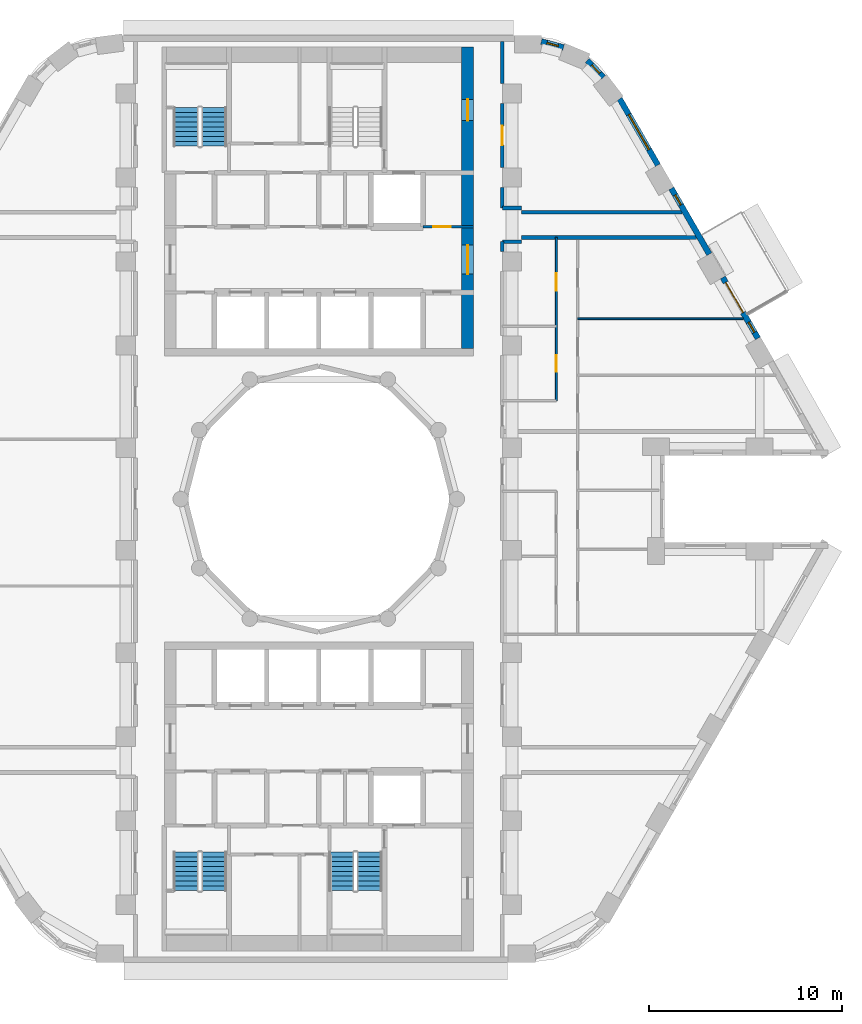
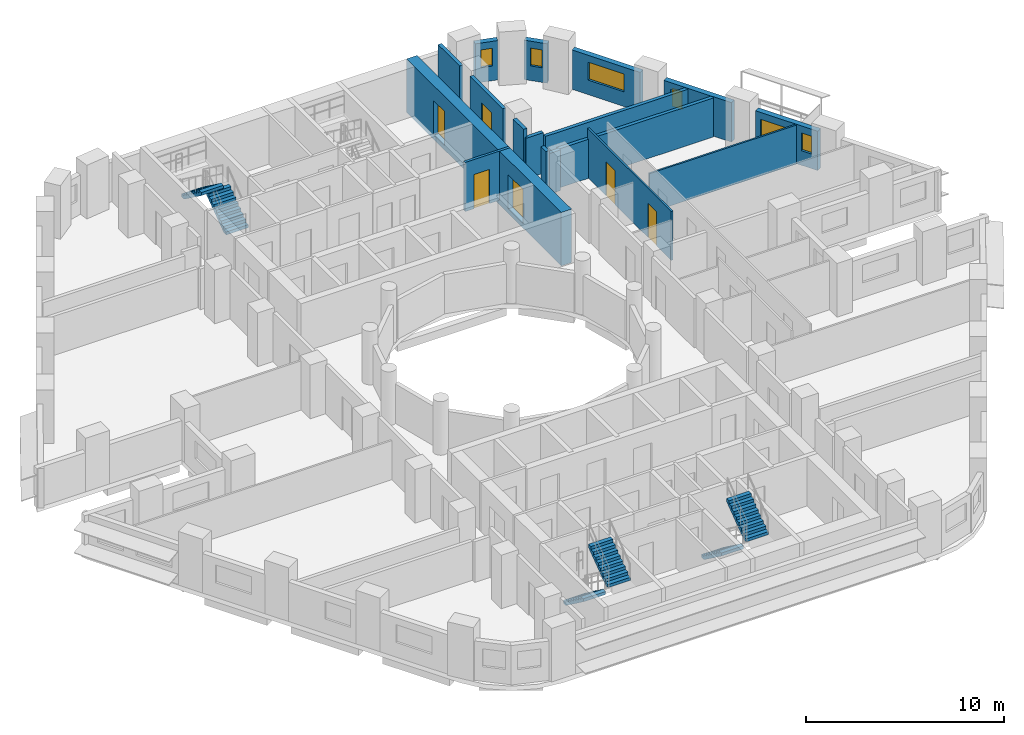
# One storey, part 8 of 13: 17 walls, 7 doors, 6 stair flights, 5 windows, 12 openings, 3 elements without a shape of their own.
"""IFC4 building model written with IfcOpenShell, lengths in metres."""

from ifc_helpers import new_model, si_unit, direction, frame, frame_2d, origin, place, context, subcontext, project, spatial, polyline, rectangle, outline, extrude, material, layer, layer_set, type_object, element, fill, aggregate, save


model = new_model("IFC4")

# Units and contexts
model_context = context("Model", 3, precision=1e-05, world=origin(), true_north=direction((0.0, 1.0)))
body_context = subcontext(model_context, "Body", "Model", "MODEL_VIEW")
ifc_project = project(units=[si_unit("LENGTHUNIT", "METRE"), si_unit("AREAUNIT", "SQUARE_METRE"), si_unit("VOLUMEUNIT", "CUBIC_METRE"), si_unit("PLANEANGLEUNIT", "RADIAN"), si_unit("MASSUNIT", "GRAM", prefix="KILO")], contexts=[model_context])

# Site, building, storey
site_placement = place(None, origin())
site = spatial("IfcSite", under=ifc_project, at=site_placement, CompositionType="ELEMENT")
building_placement = place(site_placement, origin())
building = spatial("IfcBuilding", under=site, at=building_placement, Name="Nakaniwa Court", CompositionType="ELEMENT")
storey_placement = place(building_placement, frame((0.0, 0.0, 84.300048828125)))
storey = spatial("IfcBuildingStorey", under=building, at=storey_placement, Name="L21", CompositionType="ELEMENT", Elevation=84.300048828125)

# Walls
ifc_material_1 = material(Name="Acoustic double stud partition")
ifc_layer_1 = layer(ifc_material_1, 0.199951171875)
ifc_layer_set_1 = layer_set([ifc_layer_1], Name="Acoustic double stud partition")
wall_type_1 = type_object("IfcWallType", Name="Acoustic double stud partition 200", PredefinedType="PARTITIONING", material=ifc_layer_set_1)
wall_1_placement = place(storey_placement, frame((89.5, 92.81689453125, 0.0), z_axis=(0.0, 0.0, 1.0), x_axis=(0.0, 1.0, 0.0)))
element("IfcWall", 1, at=wall_1_placement, inside=storey, type_object=wall_type_1, Name="Partition PW-077", PredefinedType="PARTITIONING", context=body_context, shape_type="SweptSolid", body=[
    extrude(rectangle(XDim=0.510986328125, YDim=0.199951171875, at=frame_2d((0.25537109375, 0.0))), origin(), (0.0, 0.0, 1.0), 3.02490234375),
])
wall_2_placement = place(storey_placement, frame((89.5, 95.072021484375, 0.0), z_axis=(0.0, 0.0, 1.0), x_axis=(0.0, 1.0, 0.0)))
element("IfcWall", 2, at=wall_2_placement, inside=storey, type_object=wall_type_1, Name="Partition PW-078", PredefinedType="PARTITIONING", context=body_context, shape_type="SweptSolid", body=[
    extrude(rectangle(XDim=1.06103515625, YDim=0.199951171875, at=frame_2d((0.530517578125, 0.0))), origin(), (0.0, 0.0, 1.0), 3.02490234375),
])

# Wall, opening, door
wall_3_placement = place(storey_placement, frame((89.5, 100.48291015625, 0.0), z_axis=(0.0, 0.0, 1.0), x_axis=(0.0, -1.0, 0.0)))
wall_3 = element("IfcWall", 3, at=wall_3_placement, inside=storey, type_object=wall_type_1, Name="Partition PW-079", PredefinedType="PARTITIONING", context=body_context, shape_type="SweptSolid", body=[
    extrude(rectangle(XDim=3.31591796875, YDim=0.199951171875, at=frame_2d((1.657958984375, 0.0))), origin(), (0.0, 0.0, 1.0), 3.02490234375),
])
opening_1_placement = place(wall_3_placement, frame((1.157958984375, 0.0, 0.0)))
opening_1 = element("IfcOpeningElement", 4, at=opening_1_placement, cuts=wall_3, Name="Opening D-02-02", PredefinedType="OPENING", context=body_context, shape_type="SweptSolid", body=[
    extrude(rectangle(XDim=1.0, YDim=2.10009765625, at=frame_2d((0.5, 1.050048828125))), frame((0.0, 0.10986328125, 0.0), z_axis=(0.0, -1.0, 0.0), x_axis=(1.0, 0.0, 0.0)), (0.0, 0.0, 1.0), 0.219970703125),
])
ifc_material_2 = material(Name="Solid core timber door set, black veneer", Category="wood")
door_type_1 = type_object("IfcDoorType", Name="Internal door 1000", OperationType="NOTDEFINED", PredefinedType="DOOR", material=ifc_material_2)
door_1_placement = place(opening_1_placement, origin())
door_1 = element("IfcDoor", 5, at=door_1_placement, inside=storey, type_object=door_type_1, Name="Door D-02-02 L21-040", OperationType="SINGLE_SWING_LEFT", OverallHeight=2.10009765625, OverallWidth=1.0, PredefinedType="DOOR", context=body_context, shape_type="SweptSolid", body=[
    extrude(rectangle(XDim=1.0, YDim=2.10009765625, at=frame_2d((0.5, 1.050048828125))), frame((0.0, 0.02490234375, 0.0), z_axis=(0.0, -1.0, 0.0), x_axis=(1.0, 0.0, 0.0)), (0.0, 0.0, 1.0), 0.050048828125),
])
fill(opening_1, door_1)

# Walls
wall_4_placement = place(storey_placement, frame((89.5, 101.51708984375, 0.0), z_axis=(0.0, 0.0, 1.0), x_axis=(0.0, 1.0, 0.0)))
element("IfcWall", 6, at=wall_4_placement, inside=storey, type_object=wall_type_1, Name="Partition PW-080", PredefinedType="PARTITIONING", context=body_context, shape_type="SweptSolid", body=[
    extrude(rectangle(XDim=2.182861328125, YDim=0.199951171875, at=frame_2d((1.09130859375, 0.0))), origin(), (0.0, 0.0, 1.0), 3.02490234375),
])
wall_5_placement = place(storey_placement, frame((90.5, 93.550048828125, 0.0), z_axis=(0.0, 0.0, 1.0), x_axis=(1.0, 0.0, 0.0)))
element("IfcWall", 7, at=wall_5_placement, inside=storey, type_object=wall_type_1, Name="Partition PW-082", PredefinedType="PARTITIONING", context=body_context, shape_type="SweptSolid", body=[
    extrude(rectangle(XDim=9.043212890625, YDim=0.199951171875, at=frame_2d((4.521484375, 0.0))), origin(), (0.0, 0.0, 1.0), 2.405029296875),
])
for number, where, z_axis, x_axis, name in (
    (8, (89.5, 93.324951171875, 0.0), (0.0, 0.0, 1.0), (1.0, 0.0, 0.0), "Partition PW-084"),
    (9, (89.5, 95.074951171875, 0.0), (0.0, 0.0, 1.0), (1.0, 0.0, 0.0), "Partition PW-086"),
):
    element("IfcWall", number, at=place(storey_placement, frame(where, z_axis=z_axis, x_axis=x_axis)), inside=storey, type_object=wall_type_1, Name=name, PredefinedType="PARTITIONING", context=body_context, shape_type="SweptSolid", body=[
        extrude(rectangle(XDim=1.0, YDim=0.199951171875, at=frame_2d((0.5, 0.0))), origin(), (0.0, 0.0, 1.0), 2.5048828125),
    ])
wall_6_placement = place(storey_placement, frame((90.5, 94.85009765625, 0.0), z_axis=(0.0, 0.0, 1.0), x_axis=(1.0, 0.0, 0.0)))
element("IfcWall", 10, at=wall_6_placement, inside=storey, type_object=wall_type_1, Name="Partition PW-088", PredefinedType="PARTITIONING", context=body_context, shape_type="SweptSolid", body=[
    extrude(rectangle(XDim=8.292724609375, YDim=0.199951171875, at=frame_2d((4.146484375, 0.0))), origin(), (0.0, 0.0, 1.0), 2.405029296875),
])

# Wall, openings, door, window
ifc_material_3 = material(Name="Charcoal ceramic cladding")
ifc_layer_2 = layer(ifc_material_3, 0.02, Name="Ceramic cladding")
ifc_material_4 = material(Name="Ventilated air cavity")
ifc_layer_3 = layer(ifc_material_4, 0.04, ventilated=True, Name="Ventilated cavity")
ifc_material_5 = material(Name="Mineral wool insulation")
ifc_layer_4 = layer(ifc_material_5, 0.1, Name="Insulation")
ifc_material_6 = material(Name="Cement bonded sheathing board")
ifc_layer_5 = layer(ifc_material_6, 0.012, Name="Sheathing")
ifc_material_7 = material(Name="Cold-formed galvanised stud frame with mineral wool infill")
ifc_layer_6 = layer(ifc_material_7, 0.1, Name="Stud frame")
ifc_material_8 = material(Name="Fire-rated gypsum plasterboard lining")
ifc_layer_7 = layer(ifc_material_8, 0.028, Name="Lining")
ifc_layer_set_2 = layer_set([ifc_layer_2, ifc_layer_3, ifc_layer_4, ifc_layer_5, ifc_layer_6, ifc_layer_7], Name="Charcoal ceramic faced external wall system")
wall_type_2 = type_object("IfcWallType", Name="Black ceramic faced external wall 300", PredefinedType="SOLIDWALL", material=ifc_layer_set_2)
wall_7_placement = place(storey_placement, frame((102.734619140625, 88.322509765625, 0.0), z_axis=(0.0, 0.0, 1.0), x_axis=(-0.500009139881, 0.866020126807, 0.0)))
wall_7 = element("IfcWall", 11, at=wall_7_placement, inside=storey, type_object=wall_type_2, Name="L21 external wall 03", PredefinedType="SOLIDWALL", context=body_context, shape_type="SweptSolid", body=[
    extrude(rectangle(XDim=3.63671875, YDim=0.300048828125, at=frame_2d((1.818359375, 0.0))), origin(), (0.0, 0.0, 1.0), 2.425048828125),
])
opening_2_placement = place(wall_7_placement, frame((1.540283203125, 0.0, 0.0)))
opening_2 = element("IfcOpeningElement", 12, at=opening_2_placement, cuts=wall_7, Name="Opening XD12.01", PredefinedType="OPENING", context=body_context, shape_type="SweptSolid", body=[
    extrude(rectangle(XDim=1.800048828125, YDim=2.0, at=frame_2d((0.89990234375, 1.0))), frame((0.0, 0.159912109375, 0.0), z_axis=(0.0, -1.0, 0.0), x_axis=(1.0, 0.0, 0.0)), (0.0, 0.0, 1.0), 0.320068359375),
])
opening_3_placement = place(wall_7_placement, frame((0.35888671875, 0.0, 0.89990234375)))
opening_3 = element("IfcOpeningElement", 13, at=opening_3_placement, cuts=wall_7, Name="Opening W8.05", PredefinedType="OPENING", context=body_context, shape_type="SweptSolid", body=[
    extrude(rectangle(XDim=0.60009765625, YDim=1.10009765625, at=frame_2d((0.300048828125, 0.550048828125))), frame((0.0, 0.159912109375, 0.0), z_axis=(0.0, -1.0, 0.0), x_axis=(1.0, 0.0, 0.0)), (0.0, 0.0, 1.0), 0.320068359375),
])
ifc_material_9 = material(Name="Black powder-coated aluminium frame with dark laminated glass", Category="aluminium")
door_type_2 = type_object("IfcDoorType", Name="Balcony sliding door 1800x2000", OperationType="SLIDING_TO_LEFT", PredefinedType="DOOR", material=ifc_material_9)
door_2_placement = place(opening_2_placement, origin())
door_2 = element("IfcDoor", 14, at=door_2_placement, inside=storey, type_object=door_type_2, Name="L21 balcony sliding door 01", OperationType="SLIDING_TO_LEFT", OverallHeight=2.0, OverallWidth=1.800048828125, PredefinedType="DOOR", context=body_context, shape_type="SweptSolid", body=[
    extrude(rectangle(XDim=1.800048828125, YDim=2.0, at=frame_2d((0.89990234375, 1.0))), frame((0.0, 0.02490234375, 0.0), z_axis=(0.0, -1.0, 0.0), x_axis=(1.0, 0.0, 0.0)), (0.0, 0.0, 1.0), 0.050048828125),
])
fill(opening_2, door_2)
ifc_material_10 = material(Name="Black anodised aluminium frame with dark low-E laminated double glazing", Category="aluminium")
window_type_1 = type_object("IfcWindowType", Name="Dark glass window 600x1100 sill 900", PartitioningType="SINGLE_PANEL", PredefinedType="WINDOW", material=ifc_material_10)
window_1_placement = place(opening_3_placement, origin())
window_1 = element("IfcWindow", 15, at=window_1_placement, inside=storey, type_object=window_type_1, Name="L21 bedroom window 03-0", OverallHeight=1.10009765625, OverallWidth=0.60009765625, PartitioningType="SINGLE_PANEL", PredefinedType="WINDOW", context=body_context, shape_type="SweptSolid", body=[
    extrude(rectangle(XDim=0.60009765625, YDim=1.10009765625, at=frame_2d((0.300048828125, 0.550048828125))), frame((0.0, 0.030029296875, 0.0), z_axis=(0.0, -1.0, 0.0), x_axis=(1.0, 0.0, 0.0)), (0.0, 0.0, 1.0), 0.06005859375),
])
fill(opening_3, window_1)

# Wall, opening, window
wall_8_placement = place(storey_placement, frame((100.22021484375, 92.677490234375, 0.0), z_axis=(0.0, 0.0, 1.0), x_axis=(-0.499957037901, 0.866050206543, 0.0)))
wall_8 = element("IfcWall", 16, at=wall_8_placement, inside=storey, type_object=wall_type_2, Name="L21 external wall 04", PredefinedType="SOLIDWALL", context=body_context, shape_type="SweptSolid", body=[
    extrude(rectangle(XDim=3.933837890625, YDim=0.300048828125, at=frame_2d((1.966796875, 0.0))), origin(), (0.0, 0.0, 1.0), 2.425048828125),
])
opening_4_placement = place(wall_8_placement, frame((2.9453125, 0.0, 0.89990234375)))
opening_4 = element("IfcOpeningElement", 17, at=opening_4_placement, cuts=wall_8, Name="Opening W8.06", PredefinedType="OPENING", context=body_context, shape_type="SweptSolid", body=[
    extrude(rectangle(XDim=0.60009765625, YDim=1.10009765625, at=frame_2d((0.300048828125, 0.550048828125))), frame((0.0, 0.159912109375, 0.0), z_axis=(0.0, -1.0, 0.0), x_axis=(1.0, 0.0, 0.0)), (0.0, 0.0, 1.0), 0.320068359375),
])
window_2_placement = place(opening_4_placement, origin())
window_2 = element("IfcWindow", 18, at=window_2_placement, inside=storey, type_object=window_type_1, Name="L21 habitable room window 04-2", OverallHeight=1.10009765625, OverallWidth=0.60009765625, PartitioningType="SINGLE_PANEL", PredefinedType="WINDOW", context=body_context, shape_type="SweptSolid", body=[
    extrude(rectangle(XDim=0.60009765625, YDim=1.10009765625, at=frame_2d((0.300048828125, 0.550048828125))), frame((0.0, 0.030029296875, 0.0), z_axis=(0.0, -1.0, 0.0), x_axis=(1.0, 0.0, 0.0)), (0.0, 0.0, 1.0), 0.06005859375),
])
fill(opening_4, window_2)

wall_9_placement = place(storey_placement, frame((97.557373046875, 97.289794921875, 0.0), z_axis=(0.0, 0.0, 1.0), x_axis=(-0.500043828347, 0.866000097998, 0.0)))
wall_9 = element("IfcWall", 19, at=wall_9_placement, inside=storey, type_object=wall_type_2, Name="L21 external wall 05", PredefinedType="SOLIDWALL", context=body_context, shape_type="SweptSolid", body=[
    extrude(rectangle(XDim=3.967529296875, YDim=0.300048828125, at=frame_2d((1.98388671875, 0.0))), origin(), (0.0, 0.0, 1.0), 2.425048828125),
])
opening_5_placement = place(wall_9_placement, frame((0.92236328125, 0.0, 0.89990234375)))
opening_5 = element("IfcOpeningElement", 20, at=opening_5_placement, cuts=wall_9, Name="Opening W7.07", PredefinedType="OPENING", context=body_context, shape_type="SweptSolid", body=[
    extrude(rectangle(XDim=2.10009765625, YDim=1.10009765625, at=frame_2d((1.050048828125, 0.550048828125))), frame((0.0, 0.159912109375, 0.0), z_axis=(0.0, -1.0, 0.0), x_axis=(1.0, 0.0, 0.0)), (0.0, 0.0, 1.0), 0.320068359375),
])
window_type_2 = type_object("IfcWindowType", Name="Dark glass window 2100x1100 sill 900", PartitioningType="SINGLE_PANEL", PredefinedType="WINDOW", material=ifc_material_10)
window_3_placement = place(opening_5_placement, origin())
window_3 = element("IfcWindow", 21, at=window_3_placement, inside=storey, type_object=window_type_2, Name="L21 habitable room window 05-0", OverallHeight=1.10009765625, OverallWidth=2.10009765625, PartitioningType="SINGLE_PANEL", PredefinedType="WINDOW", context=body_context, shape_type="SweptSolid", body=[
    extrude(rectangle(XDim=2.10009765625, YDim=1.10009765625, at=frame_2d((1.050048828125, 0.550048828125))), frame((0.0, 0.030029296875, 0.0), z_axis=(0.0, -1.0, 0.0), x_axis=(1.0, 0.0, 0.0)), (0.0, 0.0, 1.0), 0.06005859375),
])
fill(opening_5, window_3)

wall_10_placement = place(storey_placement, frame((94.738037109375, 101.839111328125, 0.0), z_axis=(0.0, 0.0, 1.0), x_axis=(-0.697032216592, 0.717039809936, 0.0)))
wall_10 = element("IfcWall", 22, at=wall_10_placement, inside=storey, type_object=wall_type_2, Name="L21 external wall 06", PredefinedType="SOLIDWALL", context=body_context, shape_type="SweptSolid", body=[
    extrude(rectangle(XDim=1.2080078125, YDim=0.300048828125, at=frame_2d((0.60400390625, 0.0))), origin(), (0.0, 0.0, 1.0), 2.425048828125),
])
opening_6_placement = place(wall_10_placement, frame((0.279296875, 0.0, 0.89990234375)))
opening_6 = element("IfcOpeningElement", 23, at=opening_6_placement, cuts=wall_10, Name="Opening W8.08", PredefinedType="OPENING", context=body_context, shape_type="SweptSolid", body=[
    extrude(rectangle(XDim=0.60009765625, YDim=1.10009765625, at=frame_2d((0.300048828125, 0.550048828125))), frame((0.0, 0.159912109375, 0.0), z_axis=(0.0, -1.0, 0.0), x_axis=(1.0, 0.0, 0.0)), (0.0, 0.0, 1.0), 0.320068359375),
])
window_4_placement = place(opening_6_placement, origin())
window_4 = element("IfcWindow", 24, at=window_4_placement, inside=storey, type_object=window_type_1, Name="L21 habitable room window 06-0", OverallHeight=1.10009765625, OverallWidth=0.60009765625, PartitioningType="SINGLE_PANEL", PredefinedType="WINDOW", context=body_context, shape_type="SweptSolid", body=[
    extrude(rectangle(XDim=0.60009765625, YDim=1.10009765625, at=frame_2d((0.300048828125, 0.550048828125))), frame((0.0, 0.030029296875, 0.0), z_axis=(0.0, -1.0, 0.0), x_axis=(1.0, 0.0, 0.0)), (0.0, 0.0, 1.0), 0.06005859375),
])
fill(opening_6, window_4)

wall_11_placement = place(storey_placement, frame((92.669189453125, 103.3818359375, 0.0), z_axis=(0.0, 0.0, 1.0), x_axis=(-0.965278131029, 0.261224290136, 0.0)))
wall_11 = element("IfcWall", 25, at=wall_11_placement, inside=storey, type_object=wall_type_2, Name="L21 external wall 07", PredefinedType="SOLIDWALL", context=body_context, shape_type="SweptSolid", body=[
    extrude(rectangle(XDim=1.189697265625, YDim=0.300048828125, at=frame_2d((0.5947265625, 0.0))), origin(), (0.0, 0.0, 1.0), 2.425048828125),
])
opening_7_placement = place(wall_11_placement, frame((0.28466796875, 0.0, 0.89990234375)))
opening_7 = element("IfcOpeningElement", 26, at=opening_7_placement, cuts=wall_11, Name="Opening W8.09", PredefinedType="OPENING", context=body_context, shape_type="SweptSolid", body=[
    extrude(rectangle(XDim=0.60009765625, YDim=1.10009765625, at=frame_2d((0.300048828125, 0.550048828125))), frame((0.0, 0.159912109375, 0.0), z_axis=(0.0, -1.0, 0.0), x_axis=(1.0, 0.0, 0.0)), (0.0, 0.0, 1.0), 0.320068359375),
])
window_5_placement = place(opening_7_placement, origin())
window_5 = element("IfcWindow", 27, at=window_5_placement, inside=storey, type_object=window_type_1, Name="L21 habitable room window 07-0", OverallHeight=1.10009765625, OverallWidth=0.60009765625, PartitioningType="SINGLE_PANEL", PredefinedType="WINDOW", context=body_context, shape_type="SweptSolid", body=[
    extrude(rectangle(XDim=0.60009765625, YDim=1.10009765625, at=frame_2d((0.300048828125, 0.550048828125))), frame((0.0, 0.030029296875, 0.0), z_axis=(0.0, -1.0, 0.0), x_axis=(1.0, 0.0, 0.0)), (0.0, 0.0, 1.0), 0.06005859375),
])
fill(opening_7, window_5)

# Wall, opening, door
ifc_material_11 = material(Name="Blockwork partition", Category="masonry")
ifc_layer_8 = layer(ifc_material_11, 0.14990234375)
ifc_layer_set_3 = layer_set([ifc_layer_8], Name="Blockwork partition")
wall_type_3 = type_object("IfcWallType", Name="Blockwork partition 150", PredefinedType="PARTITIONING", material=ifc_layer_set_3)
wall_12_placement = place(storey_placement, frame((85.39697265625, 94.10009765625, 0.0), z_axis=(0.0, 0.0, 1.0), x_axis=(1.0, 0.0, 0.0)))
wall_12 = element("IfcWall", 28, at=wall_12_placement, inside=storey, type_object=wall_type_3, Name="Partition PW-018", PredefinedType="PARTITIONING", context=body_context, shape_type="SweptSolid", body=[
    extrude(rectangle(XDim=2.60302734375, YDim=0.14990234375, at=frame_2d((1.301513671875, 0.0))), origin(), (0.0, 0.0, 1.0), 3.02490234375),
])
opening_8_placement = place(wall_12_placement, frame((0.528076171875, 0.0, 0.0)))
opening_8 = element("IfcOpeningElement", 29, at=opening_8_placement, cuts=wall_12, Name="Opening D-05-06", PredefinedType="OPENING", context=body_context, shape_type="SweptSolid", body=[
    extrude(rectangle(XDim=0.89990234375, YDim=2.10009765625, at=frame_2d((0.449951171875, 1.050048828125))), frame((0.0, 0.0849609375, 0.0), z_axis=(0.0, -1.0, 0.0), x_axis=(1.0, 0.0, 0.0)), (0.0, 0.0, 1.0), 0.169921875),
])
ifc_material_12 = material(Name="Fire rated steel door set", Category="steel")
door_type_3 = type_object("IfcDoorType", Name="Service room door 900", OperationType="NOTDEFINED", PredefinedType="DOOR", material=ifc_material_12)
door_3_placement = place(opening_8_placement, origin())
door_3 = element("IfcDoor", 30, at=door_3_placement, inside=storey, type_object=door_type_3, Name="Door D-05-06 L21-008", OperationType="SINGLE_SWING_LEFT", OverallHeight=2.10009765625, OverallWidth=0.89990234375, PredefinedType="DOOR", context=body_context, shape_type="SweptSolid", body=[
    extrude(rectangle(XDim=0.89990234375, YDim=2.10009765625, at=frame_2d((0.449951171875, 1.050048828125))), frame((0.0, 0.02490234375, 0.0), z_axis=(0.0, -1.0, 0.0), x_axis=(1.0, 0.0, 0.0)), (0.0, 0.0, 1.0), 0.050048828125),
])
fill(opening_8, door_3)

# Wall, openings, doors
ifc_material_13 = material(Name="Concrete C80/100", Category="concrete")
ifc_layer_9 = layer(ifc_material_13, 0.60009765625)
ifc_layer_set_4 = layer_set([ifc_layer_9], Name="Concrete C80/100")
wall_type_4 = type_object("IfcWallType", Name="Concrete core side wall 600 C80", PredefinedType="SHEAR", material=ifc_layer_set_4)
wall_13_placement = place(storey_placement, frame((87.699951171875, 103.39990234375, -0.275146484375), z_axis=(0.0, 0.0, 1.0), x_axis=(0.0, -1.0, 0.0)))
wall_13 = element("IfcWall", 31, at=wall_13_placement, inside=storey, type_object=wall_type_4, Name="Core wall SW-15", PredefinedType="SHEAR", context=body_context, shape_type="SweptSolid", body=[
    extrude(rectangle(XDim=15.599853515625, YDim=0.60009765625, at=frame_2d((7.7998046875, 0.0))), origin(), (0.0, 0.0, 1.0), 3.300048828125),
])
opening_9_placement = place(wall_13_placement, frame((10.25, 0.0, 0.27490234375)))
opening_9 = element("IfcOpeningElement", 32, at=opening_9_placement, cuts=wall_13, Name="Opening D-07-01", PredefinedType="OPENING", context=body_context, shape_type="SweptSolid", body=[
    extrude(rectangle(XDim=1.5, YDim=2.10009765625, at=frame_2d((0.75, 1.050048828125))), frame((0.0, 0.31005859375, 0.0), z_axis=(0.0, -1.0, 0.0), x_axis=(1.0, 0.0, 0.0)), (0.0, 0.0, 1.0), 0.6201171875),
])
opening_10_placement = place(wall_13_placement, frame((2.699951171875, 0.0, 0.27490234375)))
opening_10 = element("IfcOpeningElement", 33, at=opening_10_placement, cuts=wall_13, Name="Opening D-10-01", PredefinedType="OPENING", context=body_context, shape_type="SweptSolid", body=[
    extrude(rectangle(XDim=1.10009765625, YDim=2.10009765625, at=frame_2d((0.550048828125, 1.050048828125))), frame((0.0, 0.31005859375, 0.0), z_axis=(0.0, -1.0, 0.0), x_axis=(1.0, 0.0, 0.0)), (0.0, 0.0, 1.0), 0.6201171875),
])
door_type_4 = type_object("IfcDoorType", Name="Firefighting lobby door 1100", OperationType="NOTDEFINED", PredefinedType="DOOR", material=ifc_material_12)
door_4_placement = place(opening_10_placement, origin())
door_4 = element("IfcDoor", 34, at=door_4_placement, inside=storey, type_object=door_type_4, Name="Door D-10-01 L21-049", OperationType="SINGLE_SWING_RIGHT", OverallHeight=2.10009765625, OverallWidth=1.10009765625, PredefinedType="DOOR", context=body_context, shape_type="SweptSolid", body=[
    extrude(rectangle(XDim=1.10009765625, YDim=2.10009765625, at=frame_2d((0.550048828125, 1.050048828125))), frame((0.0, 0.02490234375, 0.0), z_axis=(0.0, -1.0, 0.0), x_axis=(1.0, 0.0, 0.0)), (0.0, 0.0, 1.0), 0.050048828125),
])
fill(opening_10, door_4)
ifc_material_14 = material(Name="Glazed fire rated steel double door set", Category="steel")
door_type_5 = type_object("IfcDoorType", Name="Lobby double door 1500", OperationType="NOTDEFINED", PredefinedType="DOOR", material=ifc_material_14)
door_5_placement = place(opening_9_placement, origin())
door_5 = element("IfcDoor", 35, at=door_5_placement, inside=storey, type_object=door_type_5, Name="Door D-07-01 L21-047", OperationType="DOUBLE_DOOR_SINGLE_SWING", OverallHeight=2.10009765625, OverallWidth=1.5, PredefinedType="DOOR", context=body_context, shape_type="SweptSolid", body=[
    extrude(rectangle(XDim=1.5, YDim=2.10009765625, at=frame_2d((0.75, 1.050048828125))), frame((0.0, 0.02490234375, 0.0), z_axis=(0.0, -1.0, 0.0), x_axis=(1.0, 0.0, 0.0)), (0.0, 0.0, 1.0), 0.050048828125),
])
fill(opening_9, door_5)

ifc_material_15 = material(Name="Single stud plasterboard partition")
ifc_layer_10 = layer(ifc_material_15, 0.10009765625)
ifc_layer_set_5 = layer_set([ifc_layer_10], Name="Single stud plasterboard partition")
wall_type_5 = type_object("IfcWallType", Name="Single stud plasterboard partition 100", PredefinedType="PARTITIONING", material=ifc_layer_set_5)
wall_14_placement = place(storey_placement, frame((92.300048828125, 85.10009765625, 0.0), z_axis=(0.0, 0.0, 1.0), x_axis=(0.0, 1.0, 0.0)))
wall_14 = element("IfcWall", 36, at=wall_14_placement, inside=storey, type_object=wall_type_5, Name="Partition PW-110", PredefinedType="PARTITIONING", context=body_context, shape_type="SweptSolid", body=[
    extrude(rectangle(XDim=8.449951171875, YDim=0.10009765625, at=frame_2d((4.22509765625, 0.0))), origin(), (0.0, 0.0, 1.0), 3.02490234375),
])
opening_11_placement = place(wall_14_placement, frame((1.4951171875, 0.0, 0.0)))
opening_11 = element("IfcOpeningElement", 37, at=opening_11_placement, cuts=wall_14, Name="Opening D-03-02", PredefinedType="OPENING", context=body_context, shape_type="SweptSolid", body=[
    extrude(rectangle(XDim=0.85009765625, YDim=2.10009765625, at=frame_2d((0.425048828125, 1.050048828125))), frame((0.0, 0.06005859375, 0.0), z_axis=(0.0, -1.0, 0.0), x_axis=(1.0, 0.0, 0.0)), (0.0, 0.0, 1.0), 0.1201171875),
])
opening_12_placement = place(wall_14_placement, frame((5.695068359375, 0.0, 0.0)))
opening_12 = element("IfcOpeningElement", 38, at=opening_12_placement, cuts=wall_14, Name="Opening D-33-05", PredefinedType="OPENING", context=body_context, shape_type="SweptSolid", body=[
    extrude(rectangle(XDim=0.89990234375, YDim=2.10009765625, at=frame_2d((0.449951171875, 1.050048828125))), frame((0.0, 0.06005859375, 0.0), z_axis=(0.0, -1.0, 0.0), x_axis=(1.0, 0.0, 0.0)), (0.0, 0.0, 1.0), 0.1201171875),
])
ifc_material_16 = material(Name="Moisture sealed timber door set", Category="wood")
door_type_6 = type_object("IfcDoorType", Name="Bathroom door 850", OperationType="NOTDEFINED", PredefinedType="DOOR", material=ifc_material_16)
door_6_placement = place(opening_11_placement, origin())
door_6 = element("IfcDoor", 39, at=door_6_placement, inside=storey, type_object=door_type_6, Name="Door D-03-02 L21-035", OperationType="SINGLE_SWING_RIGHT", OverallHeight=2.10009765625, OverallWidth=0.85009765625, PredefinedType="DOOR", context=body_context, shape_type="SweptSolid", body=[
    extrude(rectangle(XDim=0.85009765625, YDim=2.10009765625, at=frame_2d((0.425048828125, 1.050048828125))), frame((0.0, 0.02490234375, 0.0), z_axis=(0.0, -1.0, 0.0), x_axis=(1.0, 0.0, 0.0)), (0.0, 0.0, 1.0), 0.050048828125),
])
fill(opening_11, door_6)
door_type_7 = type_object("IfcDoorType", Name="Internal door 900", OperationType="NOTDEFINED", PredefinedType="DOOR", material=ifc_material_2)
door_7_placement = place(opening_12_placement, origin())
door_7 = element("IfcDoor", 40, at=door_7_placement, inside=storey, type_object=door_type_7, Name="Door D-33-05 L21-036", OperationType="SINGLE_SWING_LEFT", OverallHeight=2.10009765625, OverallWidth=0.89990234375, PredefinedType="DOOR", context=body_context, shape_type="SweptSolid", body=[
    extrude(rectangle(XDim=0.89990234375, YDim=2.10009765625, at=frame_2d((0.449951171875, 1.050048828125))), frame((0.0, 0.02490234375, 0.0), z_axis=(0.0, -1.0, 0.0), x_axis=(1.0, 0.0, 0.0)), (0.0, 0.0, 1.0), 0.050048828125),
])
fill(opening_12, door_7)

# Wall
wall_15_placement = place(storey_placement, frame((93.39990234375, 89.3349609375, 0.0), z_axis=(0.0, 0.0, 1.0), x_axis=(1.0, 0.0, 0.0)))
element("IfcWall", 41, at=wall_15_placement, inside=storey, type_object=wall_type_5, Name="Partition PW-119", PredefinedType="PARTITIONING", context=body_context, shape_type="SweptSolid", body=[
    extrude(rectangle(XDim=8.57666015625, YDim=0.10009765625, at=frame_2d((4.288330078125, 0.0))), origin(), (0.0, 0.0, 1.0), 2.405029296875),
])

# Stair, stair flights
stair_type = type_object("IfcStairType", Name="Dog leg stair 1300 wide 18 risers", PredefinedType="HALF_TURN_STAIR", material=ifc_material_13)
stair_1_placement = place(storey_placement, origin())
stair_1 = element("IfcStair", 42, at=stair_1_placement, inside=storey, type_object=stair_type, Name="L21 Stair ST1", PredefinedType="HALF_TURN_STAIR")
stair_flight_type = type_object("IfcStairFlightType", Name="Stair flight 1300 wide 9 risers", PredefinedType="STRAIGHT", material=ifc_material_13)
stair_flight_1_placement = place(storey_placement, frame((74.574951171875, 98.27490234375, 0.0), z_axis=(0.0, 0.0, 1.0), x_axis=(0.0, 1.0, 0.0)))
stair_flight_1 = element("IfcStairFlight", 43, at=stair_flight_1_placement, type_object=stair_flight_type, Name="ST1 flight 1", NumberOfRisers=9, NumberOfTreads=8, PredefinedType="STRAIGHT", RiserHeight=0.183333333, TreadLength=0.25, context=body_context, shape_type="SweptSolid", body=[
    extrude(outline(polyline([(0.0, 0.0), (0.0, 0.026123046875), (0.0, 0.052490234375), (0.0, 0.07861328125), (0.0, 0.104736328125), (0.0, 0.130859375), (0.0, 0.1572265625), (0.0, 0.183349609375), (0.25, 0.183349609375), (0.25, 0.36669921875), (0.5, 0.36669921875), (0.5, 0.550048828125), (0.75, 0.550048828125), (0.75, 0.7333984375), (1.0, 0.7333984375), (1.0, 0.916748046875), (1.25, 0.916748046875), (1.25, 1.10009765625), (1.5, 1.10009765625), (1.5, 1.283447265625), (1.75, 1.283447265625), (1.75, 1.466552734375), (2.0, 1.466552734375), (2.0, 1.64990234375), (2.0, 1.59716796875), (2.0, 1.54443359375), (2.0, 1.49169921875), (2.0, 1.43896484375), (2.0, 1.38623046875), (2.0, 1.33349609375), (2.0, 1.28076171875), (0.25341796875, 0.0), (0.0, 0.0)])), frame((0.0, 0.64990234375, 0.0), z_axis=(0.0, -1.0, 0.0), x_axis=(1.0, 0.0, 0.0)), (0.0, 0.0, 1.0), 1.300048828125),
])
stair_flight_2_placement = place(storey_placement, frame((73.125, 100.27490234375, 1.64990234375), z_axis=(0.0, 0.0, 1.0), x_axis=(0.0, -1.0, 0.0)))
stair_flight_2 = element("IfcStairFlight", 44, at=stair_flight_2_placement, type_object=stair_flight_type, Name="ST1 flight 2", NumberOfRisers=9, NumberOfTreads=8, PredefinedType="STRAIGHT", RiserHeight=0.183333333, TreadLength=0.25, context=body_context, shape_type="SweptSolid", body=[
    extrude(outline(polyline([(0.0, 0.0), (0.0, 0.026123046875), (0.0, 0.052490234375), (0.0, 0.07861328125), (0.0, 0.104736328125), (0.0, 0.130859375), (0.0, 0.1572265625), (0.0, 0.183349609375), (0.25, 0.183349609375), (0.25, 0.36669921875), (0.5, 0.36669921875), (0.5, 0.550048828125), (0.75, 0.550048828125), (0.75, 0.7333984375), (1.0, 0.7333984375), (1.0, 0.916748046875), (1.25, 0.916748046875), (1.25, 1.10009765625), (1.5, 1.10009765625), (1.5, 1.283447265625), (1.75, 1.283447265625), (1.75, 1.466552734375), (2.0, 1.466552734375), (2.0, 1.64990234375), (2.0, 1.59716796875), (2.0, 1.54443359375), (2.0, 1.49169921875), (2.0, 1.43896484375), (2.0, 1.38623046875), (2.0, 1.33349609375), (2.0, 1.28076171875), (0.25341796875, 0.0), (0.0, 0.0)])), frame((0.0, 0.64990234375, 0.0), z_axis=(0.0, -1.0, 0.0), x_axis=(1.0, 0.0, 0.0)), (0.0, 0.0, 1.0), 1.300048828125),
])
aggregate(stair_1, [stair_flight_1, stair_flight_2])

stair_2_placement = place(storey_placement, origin())
stair_2 = element("IfcStair", 45, at=stair_2_placement, inside=storey, type_object=stair_type, Name="L21 Stair ST3", PredefinedType="HALF_TURN_STAIR")
stair_flight_3_placement = place(storey_placement, frame((73.125, 61.72509765625, 0.0), z_axis=(0.0, 0.0, 1.0), x_axis=(0.0, -1.0, 0.0)))
stair_flight_3 = element("IfcStairFlight", 46, at=stair_flight_3_placement, type_object=stair_flight_type, Name="ST3 flight 1", NumberOfRisers=9, NumberOfTreads=8, PredefinedType="STRAIGHT", RiserHeight=0.183333333, TreadLength=0.25, context=body_context, shape_type="SweptSolid", body=[
    extrude(outline(polyline([(0.0, 0.0), (0.0, 0.026123046875), (0.0, 0.052490234375), (0.0, 0.07861328125), (0.0, 0.104736328125), (0.0, 0.130859375), (0.0, 0.1572265625), (0.0, 0.183349609375), (0.25, 0.183349609375), (0.25, 0.36669921875), (0.5, 0.36669921875), (0.5, 0.550048828125), (0.75, 0.550048828125), (0.75, 0.7333984375), (1.0, 0.7333984375), (1.0, 0.916748046875), (1.25, 0.916748046875), (1.25, 1.10009765625), (1.5, 1.10009765625), (1.5, 1.283447265625), (1.75, 1.283447265625), (1.75, 1.466552734375), (2.0, 1.466552734375), (2.0, 1.64990234375), (2.0, 1.59716796875), (2.0, 1.54443359375), (2.0, 1.49169921875), (2.0, 1.43896484375), (2.0, 1.38623046875), (2.0, 1.33349609375), (2.0, 1.28076171875), (0.25341796875, 0.0), (0.0, 0.0)])), frame((0.0, 0.64990234375, 0.0), z_axis=(0.0, -1.0, 0.0), x_axis=(1.0, 0.0, 0.0)), (0.0, 0.0, 1.0), 1.300048828125),
])
stair_flight_4_placement = place(storey_placement, frame((74.574951171875, 59.72509765625, 1.64990234375), z_axis=(0.0, 0.0, 1.0), x_axis=(0.0, 1.0, 0.0)))
stair_flight_4 = element("IfcStairFlight", 47, at=stair_flight_4_placement, type_object=stair_flight_type, Name="ST3 flight 2", NumberOfRisers=9, NumberOfTreads=8, PredefinedType="STRAIGHT", RiserHeight=0.183333333, TreadLength=0.25, context=body_context, shape_type="SweptSolid", body=[
    extrude(outline(polyline([(0.0, 0.0), (0.0, 0.026123046875), (0.0, 0.052490234375), (0.0, 0.07861328125), (0.0, 0.104736328125), (0.0, 0.130859375), (0.0, 0.1572265625), (0.0, 0.183349609375), (0.25, 0.183349609375), (0.25, 0.36669921875), (0.5, 0.36669921875), (0.5, 0.550048828125), (0.75, 0.550048828125), (0.75, 0.7333984375), (1.0, 0.7333984375), (1.0, 0.916748046875), (1.25, 0.916748046875), (1.25, 1.10009765625), (1.5, 1.10009765625), (1.5, 1.283447265625), (1.75, 1.283447265625), (1.75, 1.466552734375), (2.0, 1.466552734375), (2.0, 1.64990234375), (2.0, 1.59716796875), (2.0, 1.54443359375), (2.0, 1.49169921875), (2.0, 1.43896484375), (2.0, 1.38623046875), (2.0, 1.33349609375), (2.0, 1.28076171875), (0.25341796875, 0.0), (0.0, 0.0)])), frame((0.0, 0.64990234375, 0.0), z_axis=(0.0, -1.0, 0.0), x_axis=(1.0, 0.0, 0.0)), (0.0, 0.0, 1.0), 1.300048828125),
])
aggregate(stair_2, [stair_flight_3, stair_flight_4])

stair_3_placement = place(storey_placement, origin())
stair_3 = element("IfcStair", 48, at=stair_3_placement, inside=storey, type_object=stair_type, Name="L21 Stair ST4", PredefinedType="HALF_TURN_STAIR")
stair_flight_5_placement = place(storey_placement, frame((81.175048828125, 61.72509765625, 0.0), z_axis=(0.0, 0.0, 1.0), x_axis=(0.0, -1.0, 0.0)))
stair_flight_5 = element("IfcStairFlight", 49, at=stair_flight_5_placement, type_object=stair_flight_type, Name="ST4 flight 1", NumberOfRisers=9, NumberOfTreads=8, PredefinedType="STRAIGHT", RiserHeight=0.183333333, TreadLength=0.25, context=body_context, shape_type="SweptSolid", body=[
    extrude(outline(polyline([(0.0, 0.0), (0.0, 0.026123046875), (0.0, 0.052490234375), (0.0, 0.07861328125), (0.0, 0.104736328125), (0.0, 0.130859375), (0.0, 0.1572265625), (0.0, 0.183349609375), (0.25, 0.183349609375), (0.25, 0.36669921875), (0.5, 0.36669921875), (0.5, 0.550048828125), (0.75, 0.550048828125), (0.75, 0.7333984375), (1.0, 0.7333984375), (1.0, 0.916748046875), (1.25, 0.916748046875), (1.25, 1.10009765625), (1.5, 1.10009765625), (1.5, 1.283447265625), (1.75, 1.283447265625), (1.75, 1.466552734375), (2.0, 1.466552734375), (2.0, 1.64990234375), (2.0, 1.59716796875), (2.0, 1.54443359375), (2.0, 1.49169921875), (2.0, 1.43896484375), (2.0, 1.38623046875), (2.0, 1.33349609375), (2.0, 1.28076171875), (0.25341796875, 0.0), (0.0, 0.0)])), frame((0.0, 0.64990234375, 0.0), z_axis=(0.0, -1.0, 0.0), x_axis=(1.0, 0.0, 0.0)), (0.0, 0.0, 1.0), 1.300048828125),
])
stair_flight_6_placement = place(storey_placement, frame((82.625, 59.72509765625, 1.64990234375), z_axis=(0.0, 0.0, 1.0), x_axis=(0.0, 1.0, 0.0)))
stair_flight_6 = element("IfcStairFlight", 50, at=stair_flight_6_placement, type_object=stair_flight_type, Name="ST4 flight 2", NumberOfRisers=9, NumberOfTreads=8, PredefinedType="STRAIGHT", RiserHeight=0.183333333, TreadLength=0.25, context=body_context, shape_type="SweptSolid", body=[
    extrude(outline(polyline([(0.0, 0.0), (0.0, 0.026123046875), (0.0, 0.052490234375), (0.0, 0.07861328125), (0.0, 0.104736328125), (0.0, 0.130859375), (0.0, 0.1572265625), (0.0, 0.183349609375), (0.25, 0.183349609375), (0.25, 0.36669921875), (0.5, 0.36669921875), (0.5, 0.550048828125), (0.75, 0.550048828125), (0.75, 0.7333984375), (1.0, 0.7333984375), (1.0, 0.916748046875), (1.25, 0.916748046875), (1.25, 1.10009765625), (1.5, 1.10009765625), (1.5, 1.283447265625), (1.75, 1.283447265625), (1.75, 1.466552734375), (2.0, 1.466552734375), (2.0, 1.64990234375), (2.0, 1.59716796875), (2.0, 1.54443359375), (2.0, 1.49169921875), (2.0, 1.43896484375), (2.0, 1.38623046875), (2.0, 1.33349609375), (2.0, 1.28076171875), (0.25341796875, 0.0), (0.0, 0.0)])), frame((0.0, 0.64990234375, 0.0), z_axis=(0.0, -1.0, 0.0), x_axis=(1.0, 0.0, 0.0)), (0.0, 0.0, 1.0), 1.300048828125),
])
aggregate(stair_3, [stair_flight_5, stair_flight_6])

save(model, "model.ifc")
